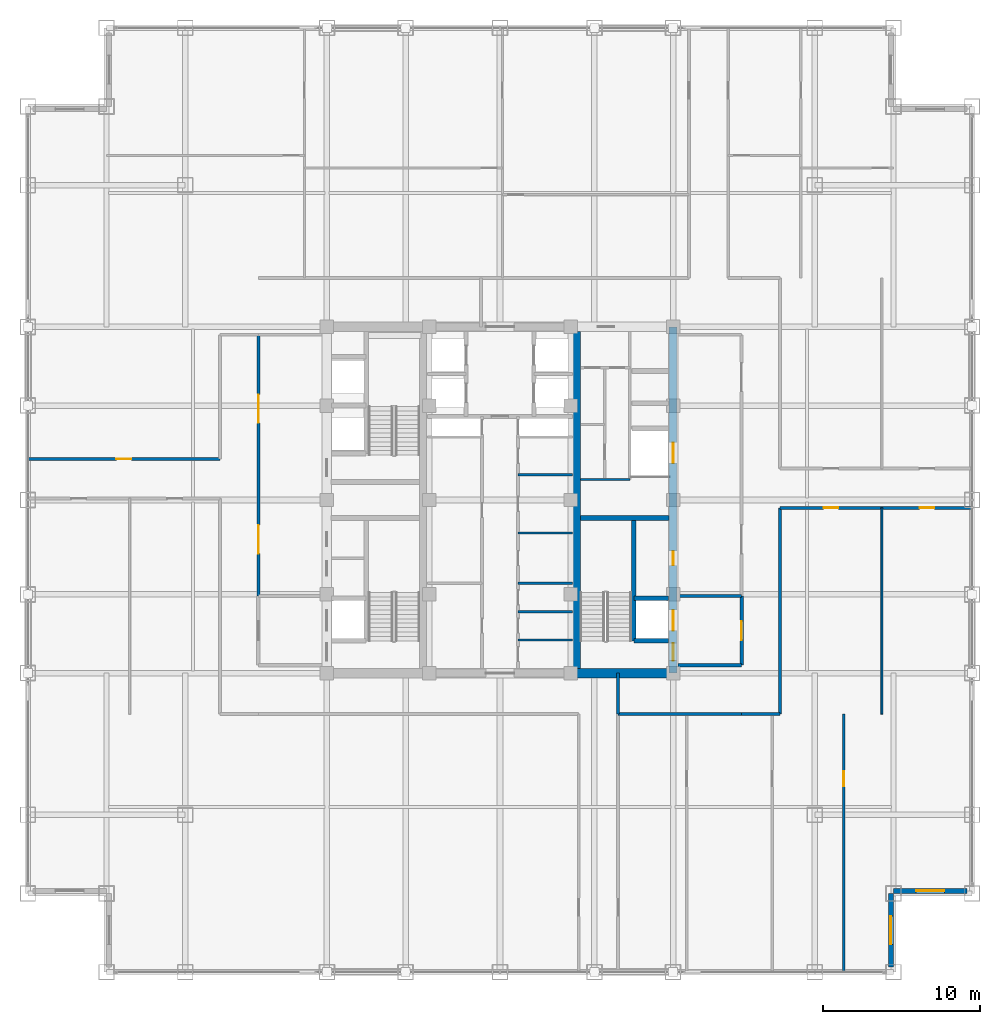
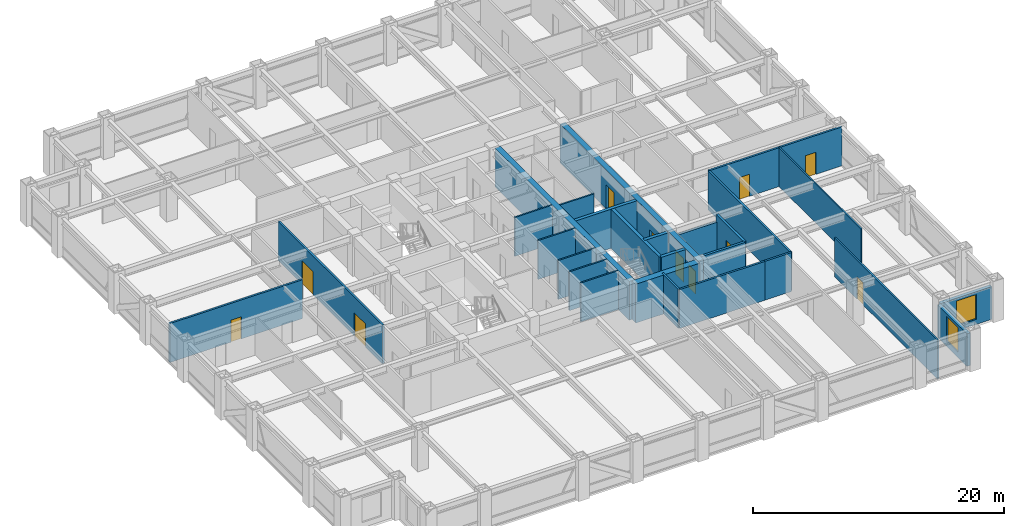
# One storey, part 21 of 25: 27 walls, 11 doors, 2 windows, 13 openings.
"""IFC4 building model written with IfcOpenShell, lengths in metres."""

import ifcopenshell
import ifcopenshell.guid

model = None  # the IFC model being written
_history = None  # IfcOwnerHistory: only IFC2X3 demands one
_inside = {}  # id of a spatial element -> (the spatial element, [elements in it])
_under = {}  # id of a project, library or spatial element -> (it, [spatial elements below it])
_declared = {}  # id of a project -> (the project, [libraries it declares])
_typed = {}  # id of a type object -> (the type object, [elements of that type])
_made_of = {}  # id of a material, layer set ... -> (it, [elements and type objects made of it])


def new_model(schema):
    """Start an empty IFC model of exactly this schema.

    Asked for "IFC4X3", IfcOpenShell would pick the latest addendum, in which some entities
    have other attributes; the version numbers below select the first issue.
    IFC2X3 requires an IfcOwnerHistory on every rooted entity: one is made here for all.
    """
    global model, _history
    if schema == "IFC4X3":
        model = ifcopenshell.file(schema_version=(4, 3, 0, 0))
    else:
        model = ifcopenshell.file(schema=schema)
    _inside.clear()
    _under.clear()
    _declared.clear()
    _typed.clear()
    _made_of.clear()
    _history = None
    if model.schema == "IFC2X3":
        org = make("IfcOrganization", Name="unknown")
        user = make(
            "IfcPersonAndOrganization",
            ThePerson=make("IfcPerson", FamilyName="unknown"),
            TheOrganization=org,
        )
        app = make(
            "IfcApplication",
            ApplicationDeveloper=org,
            Version="unknown",
            ApplicationFullName="unknown",
            ApplicationIdentifier="unknown",
        )
        _history = make(
            "IfcOwnerHistory",
            OwningUser=user,
            OwningApplication=app,
            ChangeAction="ADDED",
            CreationDate=0,
        )
    return model


def make(cls, **values):
    """One entity of the class cls with the attributes given. An attribute that is None is left unset."""
    return model.create_entity(
        cls, **{name: value for name, value in values.items() if value is not None}
    )


def rooted(cls, **values):
    """An entity with a GlobalId (a new one), such as an element, a storey or a relation."""
    return make(cls, GlobalId=ifcopenshell.guid.new(), OwnerHistory=_history, **values)


def si_unit(unit_type, name, prefix=None):
    """IfcSIUnit, for example si_unit("LENGTHUNIT", "METRE", prefix="MILLI")."""
    return make("IfcSIUnit", UnitType=unit_type, Prefix=prefix, Name=name)


def assignment(units):
    """IfcUnitAssignment: the units of a project."""
    return None if units is None else make("IfcUnitAssignment", Units=units)


def point(xyz):
    """IfcCartesianPoint."""
    return None if xyz is None else make("IfcCartesianPoint", Coordinates=xyz)


def direction(xyz):
    """IfcDirection."""
    return None if xyz is None else make("IfcDirection", DirectionRatios=xyz)


def frame(location, z_axis=None, x_axis=None):
    """IfcAxis2Placement3D, a coordinate frame: its origin and axes. An axis left out is left unset."""
    return make(
        "IfcAxis2Placement3D",
        Location=point(location),
        Axis=direction(z_axis),
        RefDirection=direction(x_axis),
    )


def frame_2d(location, x_axis=None):
    """IfcAxis2Placement2D, a coordinate frame in the plane: its origin and x axis."""
    return make(
        "IfcAxis2Placement2D", Location=point(location), RefDirection=direction(x_axis)
    )


def origin():
    """The frame at (0, 0, 0) with its axes left unset."""
    return frame((0.0, 0.0, 0.0))


def place(relative_to, where):
    """IfcLocalPlacement: puts the frame where relative to a parent placement (None: the world)."""
    return make(
        "IfcLocalPlacement", PlacementRelTo=relative_to, RelativePlacement=where
    )


def context(
    kind, dimensions, precision=None, world=None, true_north=None, identifier=None
):
    """IfcGeometricRepresentationContext, for example the 3D "Model" context."""
    return make(
        "IfcGeometricRepresentationContext",
        ContextIdentifier=identifier,
        ContextType=kind,
        CoordinateSpaceDimension=dimensions,
        Precision=precision,
        WorldCoordinateSystem=world,
        TrueNorth=true_north,
    )


def subcontext(parent, identifier, kind, view, scale=None):
    """IfcGeometricRepresentationSubContext, for example "Body" below "Model"."""
    return make(
        "IfcGeometricRepresentationSubContext",
        ContextIdentifier=identifier,
        ContextType=kind,
        ParentContext=parent,
        TargetScale=scale,
        TargetView=view,
    )


def project(units=None, contexts=None):
    """IfcProject with its units and contexts."""
    return rooted(
        "IfcProject",
        Name="project",
        RepresentationContexts=contexts,
        UnitsInContext=assignment(units),
    )


def spatial(cls, under=None, at=None, **own):
    """A site, building, storey or space (cls), placed at a placement, below another one or the project."""
    s = rooted(cls, ObjectPlacement=at, **own)
    if under is not None:
        _under.setdefault(under.id(), (under, []))[1].append(s)
    return s


def profile(cls, at=None, kind="AREA", **sizes):
    """A parametric profile (cls). Its sizes go by their IFC names, for example OverallWidth=200.0."""
    return make(cls, ProfileType=kind, Position=at, **sizes)


def rectangle(**sizes):
    """IfcRectangleProfileDef."""
    return profile("IfcRectangleProfileDef", **sizes)


def extrude(swept, where, along, depth):
    """IfcExtrudedAreaSolid: the profile swept, set in the frame where, extruded along a direction by depth."""
    return make(
        "IfcExtrudedAreaSolid",
        SweptArea=swept,
        Position=where,
        ExtrudedDirection=direction(along),
        Depth=depth,
    )


def shape(context_of_items, identifier, shape_type, items):
    """IfcShapeRepresentation: the items that make up one representation, for example the "Body"."""
    return make(
        "IfcShapeRepresentation",
        ContextOfItems=context_of_items,
        RepresentationIdentifier=identifier,
        RepresentationType=shape_type,
        Items=items,
    )


def source(mapping_origin, context_of_items, identifier, shape_type, items):
    """IfcRepresentationMap: a shape defined once, which mapped items show again and again."""
    return make(
        "IfcRepresentationMap",
        MappingOrigin=mapping_origin,
        MappedRepresentation=shape(context_of_items, identifier, shape_type, items),
    )


def transform(
    local_origin,
    x_axis=None,
    y_axis=None,
    z_axis=None,
    scale=None,
    scale2=None,
    scale3=None,
    uniform=True,
):
    """IfcCartesianTransformationOperator3D, or its non-uniform kind. x_axis, y_axis, z_axis: its Axis1, 2, 3."""
    if uniform:
        return make(
            "IfcCartesianTransformationOperator3D",
            Axis1=direction(x_axis),
            Axis2=direction(y_axis),
            LocalOrigin=point(local_origin),
            Scale=scale,
            Axis3=direction(z_axis),
        )
    return make(
        "IfcCartesianTransformationOperator3DnonUniform",
        Axis1=direction(x_axis),
        Axis2=direction(y_axis),
        LocalOrigin=point(local_origin),
        Scale=scale,
        Axis3=direction(z_axis),
        Scale2=scale2,
        Scale3=scale3,
    )


def mapped(mapping_source, mapping_target):
    """IfcMappedItem: shows the shape of a source again, moved by a transform."""
    return make(
        "IfcMappedItem", MappingSource=mapping_source, MappingTarget=mapping_target
    )


def material(Name=None, Category=None):
    """IfcMaterial."""
    return make("IfcMaterial", Name=Name, Category=Category)


def layer(
    of_material, thickness, ventilated=None, Name=None, Category=None, Priority=None
):
    """IfcMaterialLayer: one layer of a wall or slab, of a material (None: an air gap)."""
    return make(
        "IfcMaterialLayer",
        Material=of_material,
        LayerThickness=thickness,
        IsVentilated=ventilated,
        Name=Name,
        Category=Category,
        Priority=Priority,
    )


def layer_set(layers, Name=None):
    """IfcMaterialLayerSet."""
    return make("IfcMaterialLayerSet", MaterialLayers=layers, LayerSetName=Name)


def made_of(thing, what):
    """Note that an element or type object is made of a material, layer set ...; save() writes the relation."""
    if what is not None:
        _made_of.setdefault(what.id(), (what, []))[1].append(thing)
    return thing


def type_object(cls, material=None, **own):
    """A type object (cls), such as IfcWallType, which elements share."""
    return made_of(rooted(cls, **own), material)


def element(
    cls,
    number,
    at=None,
    inside=None,
    cuts=None,
    type_object=None,
    material=None,
    context=None,
    identifier="Body",
    shape_type=None,
    held_by="IfcProductDefinitionShape",
    body=None,
    shapes=None,
    **own,
):
    """One element of the class cls, such as IfcWall. Its Tag is "e" and its number.

    at: its placement. inside: the storey or other place that contains it. cuts: it is an
    opening in that element (IfcRelVoidsElement). A single representation is given by context,
    identifier, shape_type and body (its items); several are given by shapes. held_by: the class
    of the entity that holds the representations. save() writes the other relations.
    """
    e = rooted(cls, Tag="e%d" % number, ObjectPlacement=at, **own)
    if body is not None:
        shapes = [shape(context, identifier, shape_type, body)]
    if shapes is not None:
        e.Representation = make(held_by, Representations=shapes)
    if inside is not None:
        _inside.setdefault(inside.id(), (inside, []))[1].append(e)
    if cuts is not None:
        rooted(
            "IfcRelVoidsElement", RelatingBuildingElement=cuts, RelatedOpeningElement=e
        )
    if type_object is not None:
        _typed.setdefault(type_object.id(), (type_object, []))[1].append(e)
    return made_of(e, material)


def fill(opening, filler):
    """IfcRelFillsElement: the door or window that sits in an opening."""
    return rooted(
        "IfcRelFillsElement",
        RelatingOpeningElement=opening,
        RelatedBuildingElement=filler,
    )


def aggregate(whole, parts):
    """IfcRelAggregates: a whole, such as a stair, and the parts it consists of."""
    return rooted("IfcRelAggregates", RelatingObject=whole, RelatedObjects=parts)


def save(model, path):
    """Write the relations noted so far, then the file.

    IfcRelAggregates (storeys below a building ...), IfcRelContainedInSpatialStructure (elements
    in a storey), IfcRelDefinesByType, IfcRelAssociatesMaterial and IfcRelDeclares: one each for
    every whole, place, type object, material and project.
    """
    for whole, parts in _under.values():
        aggregate(whole, parts)
    for where, things in _inside.values():
        rooted(
            "IfcRelContainedInSpatialStructure",
            RelatedElements=things,
            RelatingStructure=where,
        )
    for kind, things in _typed.values():
        rooted("IfcRelDefinesByType", RelatedObjects=things, RelatingType=kind)
    for what, things in _made_of.values():
        rooted("IfcRelAssociatesMaterial", RelatedObjects=things, RelatingMaterial=what)
    for by, libraries in _declared.values():
        rooted("IfcRelDeclares", RelatingContext=by, RelatedDefinitions=libraries)
    model.write(path)


model = new_model("IFC4")

# Units and contexts
model_context = context("Model", 3, precision=1e-05, world=origin(), true_north=direction((0.0, 1.0)))
body_context = subcontext(model_context, "Body", "Model", "MODEL_VIEW")
ifc_project = project(units=[si_unit("LENGTHUNIT", "METRE"), si_unit("AREAUNIT", "SQUARE_METRE"), si_unit("VOLUMEUNIT", "CUBIC_METRE"), si_unit("PLANEANGLEUNIT", "RADIAN"), si_unit("MASSUNIT", "GRAM", prefix="KILO")], contexts=[model_context])

# Site, building, storey
site_placement = place(None, origin())
site = spatial("IfcSite", under=ifc_project, at=site_placement, CompositionType="ELEMENT")
building_placement = place(site_placement, origin())
building = spatial("IfcBuilding", under=site, at=building_placement, Name="Khorayat Bourse Tower", CompositionType="ELEMENT")
storey_placement = place(building_placement, frame((0.0, 0.0, 223.10009765625)))
storey = spatial("IfcBuildingStorey", under=building, at=storey_placement, Name="L52", CompositionType="ELEMENT", Elevation=223.10009765625)

# Wall
ifc_material_1 = material(Name="Concrete C52/65", Category="concrete")
ifc_layer_1 = layer(ifc_material_1, 0.5)
ifc_layer_set_1 = layer_set([ifc_layer_1], Name="Concrete C52/65")
wall_type_1 = type_object("IfcWallType", Name="WAL-CORE-500", PredefinedType="SHEAR", material=ifc_layer_set_1)
shared_shape_1 = source(origin(), body_context, "Body", "SweptSolid", [
    extrude(rectangle(XDim=21.39990234375, YDim=0.5, at=frame_2d((10.699951171875, 0.0))), origin(), (0.0, 0.0, 1.0), 3.77978515625),
])
wall_1_placement = place(storey_placement, frame((4.85009765625, -10.699951171875, 0.0), z_axis=(0.0, 0.0, 1.0), x_axis=(0.0, 1.0, 0.0)))
element("IfcWall", 1, at=wall_1_placement, inside=storey, type_object=wall_type_1, Name="L52 Core Shear Wall PIER-E", PredefinedType="SHEAR", context=body_context, shape_type="MappedRepresentation", body=[
    mapped(shared_shape_1, transform((0.0, 0.0, 0.0), scale=1.0)),
])

# Wall, openings, doors
shared_shape_2 = source(origin(), body_context, "Body", "SweptSolid", [
    extrude(rectangle(XDim=22.0, YDim=0.5, at=frame_2d((11.0, 0.0))), origin(), (0.0, 0.0, 1.0), 3.77978515625),
])
wall_2_placement = place(storey_placement, frame((11.0, -11.0, 0.0), z_axis=(0.0, 0.0, 1.0), x_axis=(0.0, 1.0, 0.0)))
wall_2 = element("IfcWall", 2, at=wall_2_placement, inside=storey, type_object=wall_type_1, Name="L52 Core Shear Wall CORE-E", PredefinedType="SHEAR", context=body_context, shape_type="MappedRepresentation", body=[
    mapped(shared_shape_2, transform((0.0, 0.0, 0.0), scale=1.0)),
])
shared_shape_3 = source(origin(), body_context, "Body", "SweptSolid", [
    extrude(rectangle(XDim=1.10009765625, YDim=2.199951171875, at=frame_2d((0.550048828125, 1.10009765625))), frame((0.0, 0.260009765625, 0.0), z_axis=(0.0, -1.0, 0.0), x_axis=(1.0, 0.0, 0.0)), (0.0, 0.0, 1.0), 0.52001953125),
])
opening_1_placement = place(wall_2_placement, frame((0.800048828125, 0.0, 0.0)))
opening_1 = element("IfcOpeningElement", 3, at=opening_1_placement, cuts=wall_2, Name="Opening DI-01", PredefinedType="OPENING", context=body_context, shape_type="MappedRepresentation", body=[
    mapped(shared_shape_3, transform((0.0, 0.0, 0.0), scale=1.0)),
])
shared_shape_4 = source(origin(), body_context, "Body", "SweptSolid", [
    extrude(rectangle(XDim=0.89990234375, YDim=2.14990234375, at=frame_2d((0.449951171875, 1.074951171875))), frame((0.0, 0.260009765625, 0.0), z_axis=(0.0, -1.0, 0.0), x_axis=(1.0, 0.0, 0.0)), (0.0, 0.0, 1.0), 0.52001953125),
])
opening_2_placement = place(wall_2_placement, frame((6.85009765625, 0.0, 0.0)))
opening_2 = element("IfcOpeningElement", 4, at=opening_2_placement, cuts=wall_2, Name="Opening DI-06", PredefinedType="OPENING", context=body_context, shape_type="MappedRepresentation", body=[
    mapped(shared_shape_4, transform((0.0, 0.0, 0.0), scale=1.0)),
])
shared_shape_5 = source(origin(), body_context, "Body", "SweptSolid", [
    extrude(rectangle(XDim=1.300048828125, YDim=2.300048828125, at=frame_2d((0.64990234375, 1.14990234375))), frame((0.0, 0.260009765625, 0.0), z_axis=(0.0, -1.0, 0.0), x_axis=(1.0, 0.0, 0.0)), (0.0, 0.0, 1.0), 0.52001953125),
])
opening_3_placement = place(wall_2_placement, frame((2.699951171875, 0.0, 0.0)))
opening_3 = element("IfcOpeningElement", 5, at=opening_3_placement, cuts=wall_2, Name="Opening LD-02", PredefinedType="OPENING", context=body_context, shape_type="MappedRepresentation", body=[
    mapped(shared_shape_5, transform((0.0, 0.0, 0.0), scale=1.0)),
])
opening_4_placement = place(wall_2_placement, frame((13.35009765625, 0.0, 0.0)))
opening_4 = element("IfcOpeningElement", 6, at=opening_4_placement, cuts=wall_2, Name="Opening LD-02", PredefinedType="OPENING", context=body_context, shape_type="MappedRepresentation", body=[
    mapped(shared_shape_5, transform((0.0, 0.0, 0.0), scale=1.0)),
])
ifc_material_2 = material(Name="Fire-rated steel acoustic leaf", Category="steel")
door_type_1 = type_object("IfcDoorType", Name="DR-INT-STAIR-1100", OperationType="NOTDEFINED", PredefinedType="DOOR", material=ifc_material_2)
shared_shape_6 = source(origin(), body_context, "Body", "SweptSolid", [
    extrude(rectangle(XDim=1.10009765625, YDim=2.199951171875, at=frame_2d((0.550048828125, 1.10009765625))), frame((0.0, 0.02490234375, 0.0), z_axis=(0.0, -1.0, 0.0), x_axis=(1.0, 0.0, 0.0)), (0.0, 0.0, 1.0), 0.050048828125),
])
door_1_placement = place(opening_1_placement, origin())
door_1 = element("IfcDoor", 7, at=door_1_placement, inside=storey, type_object=door_type_1, Name="L52 Exit Stair 3 Door", OperationType="SINGLE_SWING_LEFT", OverallHeight=2.199951171875, OverallWidth=1.10009765625, PredefinedType="DOOR", context=body_context, shape_type="MappedRepresentation", body=[
    mapped(shared_shape_6, transform((0.0, 0.0, 0.0), scale=1.0)),
])
fill(opening_1, door_1)
ifc_material_3 = material(Name="Moisture-resistant laminate washroom door")
door_type_2 = type_object("IfcDoorType", Name="DR-INT-WC-900", OperationType="NOTDEFINED", PredefinedType="DOOR", material=ifc_material_3)
shared_shape_7 = source(origin(), body_context, "Body", "SweptSolid", [
    extrude(rectangle(XDim=0.89990234375, YDim=2.14990234375, at=frame_2d((0.449951171875, 1.074951171875))), frame((0.0, 0.02490234375, 0.0), z_axis=(0.0, -1.0, 0.0), x_axis=(1.0, 0.0, 0.0)), (0.0, 0.0, 1.0), 0.050048828125),
])
door_2_placement = place(opening_2_placement, origin())
door_2 = element("IfcDoor", 8, at=door_2_placement, inside=storey, type_object=door_type_2, Name="L52 Telecom Server Plant Room Door", OperationType="SINGLE_SWING_LEFT", OverallHeight=2.14990234375, OverallWidth=0.89990234375, PredefinedType="DOOR", context=body_context, shape_type="MappedRepresentation", body=[
    mapped(shared_shape_7, transform((0.0, 0.0, 0.0), scale=1.0)),
])
fill(opening_2, door_2)
ifc_material_4 = material(Name="Fire-rated stainless-steel sliding landing door", Category="steel")
door_type_3 = type_object("IfcDoorType", Name="DR-LIFT-FF-1300", OperationType="NOTDEFINED", PredefinedType="DOOR", material=ifc_material_4)
shared_shape_8 = source(origin(), body_context, "Body", "SweptSolid", [
    extrude(rectangle(XDim=1.300048828125, YDim=2.300048828125, at=frame_2d((0.64990234375, 1.14990234375))), frame((0.0, 0.02490234375, 0.0), z_axis=(0.0, -1.0, 0.0), x_axis=(1.0, 0.0, 0.0)), (0.0, 0.0, 1.0), 0.050048828125),
])
door_3_placement = place(opening_3_placement, origin())
door_3 = element("IfcDoor", 9, at=door_3_placement, inside=storey, type_object=door_type_3, Name="L52 Lift FFL-02 Sliding Landing Door", OperationType="SLIDING_TO_LEFT", OverallHeight=2.300048828125, OverallWidth=1.300048828125, PredefinedType="DOOR", context=body_context, shape_type="MappedRepresentation", body=[
    mapped(shared_shape_8, transform((0.0, 0.0, 0.0), scale=1.0)),
])
fill(opening_3, door_3)
door_4_placement = place(opening_4_placement, origin())
door_4 = element("IfcDoor", 10, at=door_4_placement, inside=storey, type_object=door_type_3, Name="L52 Lift SVL-01 Sliding Landing Door", OperationType="SLIDING_TO_LEFT", OverallHeight=2.300048828125, OverallWidth=1.300048828125, PredefinedType="DOOR", context=body_context, shape_type="MappedRepresentation", body=[
    mapped(shared_shape_8, transform((0.0, 0.0, 0.0), scale=1.0)),
])
fill(opening_4, door_4)

# Walls
ifc_material_5 = material(Name="Concrete C60/75", Category="concrete")
ifc_layer_2 = layer(ifc_material_5, 0.60009765625)
ifc_layer_set_2 = layer_set([ifc_layer_2], Name="Concrete C60/75")
wall_type_2 = type_object("IfcWallType", Name="WAL-CORE-600", PredefinedType="SHEAR", material=ifc_layer_set_2)
shared_shape_9 = source(origin(), body_context, "Body", "SweptSolid", [
    extrude(rectangle(XDim=5.89990234375, YDim=0.60009765625, at=frame_2d((2.949951171875, 0.0))), origin(), (0.0, 0.0, 1.0), 3.77978515625),
])
wall_3_placement = place(storey_placement, frame((4.85009765625, -11.0, 0.0), z_axis=(0.0, 0.0, 1.0), x_axis=(1.0, 0.0, 0.0)))
element("IfcWall", 11, at=wall_3_placement, inside=storey, type_object=wall_type_2, Name="L52 Core Shear Wall PIER-ES", PredefinedType="SHEAR", context=body_context, shape_type="MappedRepresentation", body=[
    mapped(shared_shape_9, transform((0.0, 0.0, 0.0), scale=1.0)),
])
ifc_material_6 = material(Name="Concrete C50/60", Category="concrete")
ifc_layer_3 = layer(ifc_material_6, 0.300048828125)
ifc_layer_set_3 = layer_set([ifc_layer_3], Name="Concrete C50/60")
wall_type_3 = type_object("IfcWallType", Name="WAL-SHAFT-300", PredefinedType="SHEAR", material=ifc_layer_set_3)
shared_shape_10 = source(origin(), body_context, "Body", "SweptSolid", [
    extrude(rectangle(XDim=5.64990234375, YDim=0.300048828125, at=frame_2d((2.824951171875, 0.0))), origin(), (0.0, 0.0, 1.0), 3.77978515625),
])
wall_4_placement = place(storey_placement, frame((5.10009765625, -1.14990234375, 0.0), z_axis=(0.0, 0.0, 1.0), x_axis=(1.0, 0.0, 0.0)))
element("IfcWall", 12, at=wall_4_placement, inside=storey, type_object=wall_type_3, Name="L52 Core Shear Wall ST3-DIV", PredefinedType="SHEAR", context=body_context, shape_type="MappedRepresentation", body=[
    mapped(shared_shape_10, transform((0.0, 0.0, 0.0), scale=1.0)),
])

# Wall, opening, window
ifc_material_7 = material(Name="Precast concrete C45/55", Category="concrete")
ifc_layer_4 = layer(ifc_material_7, 0.320068359375)
ifc_layer_set_4 = layer_set([ifc_layer_4], Name="Precast concrete C45/55")
wall_type_4 = type_object("IfcWallType", Name="WAL-EXT-STONE-320", PredefinedType="STANDARD", material=ifc_layer_set_4)
shared_shape_11 = source(origin(), body_context, "Body", "SweptSolid", [
    extrude(rectangle(XDim=4.679931640625, YDim=0.320068359375, at=frame_2d((2.33984375, 0.0))), origin(), (0.0, 0.0, 1.0), 3.163818359375),
])
wall_5_placement = place(storey_placement, frame((24.840087890625, -29.679931640625, 0.0), z_axis=(0.0, 0.0, 1.0), x_axis=(0.0, 1.0, 0.0)))
wall_5 = element("IfcWall", 13, at=wall_5_placement, inside=storey, type_object=wall_type_4, Name="L52 Re-Entrant Notch Limestone Wall SE-V", PredefinedType="STANDARD", context=body_context, shape_type="MappedRepresentation", body=[
    mapped(shared_shape_11, transform((0.0, 0.0, 0.0), scale=1.0)),
])
shared_shape_12 = source(origin(), body_context, "Body", "SweptSolid", [
    extrude(rectangle(XDim=1.800048828125, YDim=2.39990234375, at=frame_2d((0.89990234375, 1.199951171875))), frame((0.0, 0.169921875, 0.0), z_axis=(0.0, -1.0, 0.0), x_axis=(1.0, 0.0, 0.0)), (0.0, 0.0, 1.0), 0.340087890625),
])
opening_5_placement = place(wall_5_placement, frame((1.43994140625, 0.0, 0.5)))
opening_5 = element("IfcOpeningElement", 14, at=opening_5_placement, cuts=wall_5, Name="Opening WN-04", PredefinedType="OPENING", context=body_context, shape_type="MappedRepresentation", body=[
    mapped(shared_shape_12, transform((0.0, 0.0, 0.0), scale=1.0)),
])
ifc_material_8 = material(Name="Low-E acoustic laminated double glazing", Category="glass")
window_type = type_object("IfcWindowType", Name="WIN-NOTCH-1800x2400", PartitioningType="SINGLE_PANEL", PredefinedType="WINDOW", material=ifc_material_8)
shared_shape_13 = source(origin(), body_context, "Body", "SweptSolid", [
    extrude(rectangle(XDim=1.800048828125, YDim=2.39990234375, at=frame_2d((0.89990234375, 1.199951171875))), frame((0.0, 0.030029296875, 0.0), z_axis=(0.0, -1.0, 0.0), x_axis=(1.0, 0.0, 0.0)), (0.0, 0.0, 1.0), 0.06005859375),
])
window_1_placement = place(opening_5_placement, origin())
window_1 = element("IfcWindow", 15, at=window_1_placement, inside=storey, type_object=window_type, Name="L52 Facade Window 1", OverallHeight=2.39990234375, OverallWidth=1.800048828125, PartitioningType="SINGLE_PANEL", PredefinedType="WINDOW", context=body_context, shape_type="MappedRepresentation", body=[
    mapped(shared_shape_13, transform((0.0, 0.0, 0.0), scale=1.0)),
])
fill(opening_5, window_1)

wall_6_placement = place(storey_placement, frame((25.0, -24.840087890625, 0.0), z_axis=(0.0, 0.0, 1.0), x_axis=(1.0, 0.0, 0.0)))
wall_6 = element("IfcWall", 16, at=wall_6_placement, inside=storey, type_object=wall_type_4, Name="L52 Re-Entrant Notch Limestone Wall SE-H", PredefinedType="STANDARD", context=body_context, shape_type="MappedRepresentation", body=[
    mapped(shared_shape_11, transform((0.0, 0.0, 0.0), scale=1.0)),
])
opening_6_placement = place(wall_6_placement, frame((1.43994140625, 0.0, 0.5)))
opening_6 = element("IfcOpeningElement", 17, at=opening_6_placement, cuts=wall_6, Name="Opening WN-04", PredefinedType="OPENING", context=body_context, shape_type="MappedRepresentation", body=[
    mapped(shared_shape_12, transform((0.0, 0.0, 0.0), scale=1.0)),
])
window_2_placement = place(opening_6_placement, origin())
window_2 = element("IfcWindow", 18, at=window_2_placement, inside=storey, type_object=window_type, Name="L52 Facade Window 1", OverallHeight=2.39990234375, OverallWidth=1.800048828125, PartitioningType="SINGLE_PANEL", PredefinedType="WINDOW", context=body_context, shape_type="MappedRepresentation", body=[
    mapped(shared_shape_13, transform((0.0, 0.0, 0.0), scale=1.0)),
])
fill(opening_6, window_2)

# Walls
ifc_material_9 = material(Name="Aerated concrete blockwork", Category="masonry")
ifc_layer_5 = layer(ifc_material_9, 0.219970703125)
ifc_layer_set_5 = layer_set([ifc_layer_5], Name="Aerated concrete blockwork")
wall_type_5 = type_object("IfcWallType", Name="WAL-PART-FF-220", PredefinedType="PARTITIONING", material=ifc_layer_set_5)
shared_shape_14 = source(origin(), body_context, "Body", "SweptSolid", [
    extrude(rectangle(XDim=4.050048828125, YDim=0.219970703125, at=frame_2d((2.02490234375, 0.0))), origin(), (0.0, 0.0, 1.0), 3.0849609375),
])
wall_7_placement = place(storey_placement, frame((11.300048828125, -6.10009765625, 0.0), z_axis=(0.0, 0.0, 1.0), x_axis=(1.0, 0.0, 0.0)))
element("IfcWall", 19, at=wall_7_placement, inside=storey, type_object=wall_type_5, Name="L52 Partition WAL-L52-FFLE-N", PredefinedType="PARTITIONING", context=body_context, shape_type="MappedRepresentation", body=[
    mapped(shared_shape_14, transform((0.0, 0.0, 0.0), scale=1.0)),
])
shared_shape_15 = source(origin(), body_context, "Body", "SweptSolid", [
    extrude(rectangle(XDim=7.800048828125, YDim=0.300048828125, at=frame_2d((3.89990234375, 0.0))), origin(), (0.0, 0.0, 1.0), 3.77978515625),
])
wall_8_placement = place(storey_placement, frame((8.5, -8.949951171875, 0.0), z_axis=(0.0, 0.0, 1.0), x_axis=(0.0, 1.0, 0.0)))
element("IfcWall", 20, at=wall_8_placement, inside=storey, type_object=wall_type_3, Name="L52 Partition WAL-L52-EPIER-SP", PredefinedType="SHEAR", context=body_context, shape_type="MappedRepresentation", body=[
    mapped(shared_shape_15, transform((0.0, 0.0, 0.0), scale=1.0)),
])
shared_shape_16 = source(origin(), body_context, "Body", "SweptSolid", [
    extrude(rectangle(XDim=2.199951171875, YDim=0.300048828125, at=frame_2d((1.10009765625, 0.0))), origin(), (0.0, 0.0, 1.0), 3.77978515625),
])
for number, where, z_axis, x_axis, name in (
    (21, (8.5, -8.949951171875, 0.0), (0.0, 0.0, 1.0), (1.0, 0.0, 0.0), "L52 Partition WAL-L52-EPIER-FF2S"),
    (22, (8.5, -6.25, 0.0), (0.0, 0.0, 1.0), (1.0, 0.0, 0.0), "L52 Partition WAL-L52-EPIER-FF2N"),
):
    element("IfcWall", number, at=place(storey_placement, frame(where, z_axis=z_axis, x_axis=x_axis)), inside=storey, type_object=wall_type_3, Name=name, PredefinedType="SHEAR", context=body_context, shape_type="MappedRepresentation", body=[
        mapped(shared_shape_16, transform((0.0, 0.0, 0.0), scale=1.0)),
    ])
ifc_material_10 = material(Name="Moisture-resistant masonry partition", Category="masonry")
ifc_layer_6 = layer(ifc_material_10, 0.139892578125)
ifc_layer_set_6 = layer_set([ifc_layer_6], Name="Moisture-resistant masonry partition")
wall_type_6 = type_object("IfcWallType", Name="WAL-PART-WET-140", PredefinedType="PARTITIONING", material=ifc_layer_set_6)
shared_shape_17 = source(origin(), body_context, "Body", "SweptSolid", [
    extrude(rectangle(XDim=3.14990234375, YDim=0.139892578125, at=frame_2d((1.574951171875, 0.0))), origin(), (0.0, 0.0, 1.0), 3.77978515625),
])
wall_9_placement = place(storey_placement, frame((5.10009765625, 1.300048828125, 0.0), z_axis=(0.0, 0.0, 1.0), x_axis=(1.0, 0.0, 0.0)))
element("IfcWall", 23, at=wall_9_placement, inside=storey, type_object=wall_type_6, Name="L52 Partition WAL-L52-ECORE-S", PredefinedType="PARTITIONING", context=body_context, shape_type="MappedRepresentation", body=[
    mapped(shared_shape_17, transform((0.0, 0.0, 0.0), scale=1.0)),
])
shared_shape_18 = source(origin(), body_context, "Body", "SweptSolid", [
    extrude(rectangle(XDim=4.050048828125, YDim=0.219970703125, at=frame_2d((2.02490234375, 0.0))), origin(), (0.0, 0.0, 1.0), 3.77978515625),
])
wall_10_placement = place(storey_placement, frame((11.300048828125, -10.5, 0.0), z_axis=(0.0, 0.0, 1.0), x_axis=(1.0, 0.0, 0.0)))
element("IfcWall", 24, at=wall_10_placement, inside=storey, type_object=wall_type_5, Name="L52 Partition WAL-L52-FFLE-S", PredefinedType="PARTITIONING", context=body_context, shape_type="MappedRepresentation", body=[
    mapped(shared_shape_18, transform((0.0, 0.0, 0.0), scale=1.0)),
])

# Wall, opening, door
shared_shape_19 = source(origin(), body_context, "Body", "SweptSolid", [
    extrude(rectangle(XDim=4.39990234375, YDim=0.219970703125, at=frame_2d((2.199951171875, 0.0))), origin(), (0.0, 0.0, 1.0), 3.77978515625),
])
wall_11_placement = place(storey_placement, frame((15.35009765625, -10.5, 0.0), z_axis=(0.0, 0.0, 1.0), x_axis=(0.0, 1.0, 0.0)))
wall_11 = element("IfcWall", 25, at=wall_11_placement, inside=storey, type_object=wall_type_5, Name="L52 Partition WAL-L52-FFLE-E", PredefinedType="PARTITIONING", context=body_context, shape_type="MappedRepresentation", body=[
    mapped(shared_shape_19, transform((0.0, 0.0, 0.0), scale=1.0)),
])
shared_shape_20 = source(origin(), body_context, "Body", "SweptSolid", [
    extrude(rectangle(XDim=1.199951171875, YDim=2.199951171875, at=frame_2d((0.60009765625, 1.10009765625))), frame((0.0, 0.119873046875, 0.0), z_axis=(0.0, -1.0, 0.0), x_axis=(1.0, 0.0, 0.0)), (0.0, 0.0, 1.0), 0.239990234375),
])
opening_7_placement = place(wall_11_placement, frame((1.60009765625, 0.0, 0.0)))
opening_7 = element("IfcOpeningElement", 26, at=opening_7_placement, cuts=wall_11, Name="Opening DI-02", PredefinedType="OPENING", context=body_context, shape_type="MappedRepresentation", body=[
    mapped(shared_shape_20, transform((0.0, 0.0, 0.0), scale=1.0)),
])
ifc_material_11 = material(Name="Fire-rated steel double-seal leaf", Category="steel")
door_type_4 = type_object("IfcDoorType", Name="DR-INT-FFLOBBY-1200", OperationType="NOTDEFINED", PredefinedType="DOOR", material=ifc_material_11)
shared_shape_21 = source(origin(), body_context, "Body", "SweptSolid", [
    extrude(rectangle(XDim=1.199951171875, YDim=2.199951171875, at=frame_2d((0.60009765625, 1.10009765625))), frame((0.0, 0.02490234375, 0.0), z_axis=(0.0, -1.0, 0.0), x_axis=(1.0, 0.0, 0.0)), (0.0, 0.0, 1.0), 0.050048828125),
])
door_5_placement = place(opening_7_placement, origin())
door_5 = element("IfcDoor", 27, at=door_5_placement, inside=storey, type_object=door_type_4, Name="L52 East Firefighting Lobby Door", OperationType="SINGLE_SWING_RIGHT", OverallHeight=2.199951171875, OverallWidth=1.199951171875, PredefinedType="DOOR", context=body_context, shape_type="MappedRepresentation", body=[
    mapped(shared_shape_21, transform((0.0, 0.0, 0.0), scale=1.0)),
])
fill(opening_7, door_5)

# Wall, openings, doors
ifc_material_12 = material(Name="Gypsum plasterboard acoustic stud wall")
ifc_layer_7 = layer(ifc_material_12, 0.179931640625)
ifc_layer_set_7 = layer_set([ifc_layer_7], Name="Gypsum plasterboard acoustic stud wall")
wall_type_7 = type_object("IfcWallType", Name="WAL-PART-CORR-180", PredefinedType="PARTITIONING", material=ifc_layer_set_7)
shared_shape_22 = source(origin(), body_context, "Body", "SweptSolid", [
    extrude(rectangle(XDim=16.60009765625, YDim=0.179931640625, at=frame_2d((8.300048828125, 0.0))), origin(), (0.0, 0.0, 1.0), 3.77978515625),
])
wall_12_placement = place(storey_placement, frame((-15.35009765625, -6.10009765625, 0.0), z_axis=(0.0, 0.0, 1.0), x_axis=(0.0, 1.0, 0.0)))
wall_12 = element("IfcWall", 28, at=wall_12_placement, inside=storey, type_object=wall_type_7, Name="L52 Partition WAL-L52-WLOB-W", PredefinedType="PARTITIONING", context=body_context, shape_type="MappedRepresentation", body=[
    mapped(shared_shape_22, transform((0.0, 0.0, 0.0), scale=1.0)),
])
shared_shape_23 = source(origin(), body_context, "Body", "SweptSolid", [
    extrude(rectangle(XDim=1.800048828125, YDim=2.25, at=frame_2d((0.89990234375, 1.125))), frame((0.0, 0.099853515625, 0.0), z_axis=(0.0, -1.0, 0.0), x_axis=(1.0, 0.0, 0.0)), (0.0, 0.0, 1.0), 0.199951171875),
])
opening_8_placement = place(wall_12_placement, frame((2.699951171875, 0.0, 0.0)))
opening_8 = element("IfcOpeningElement", 29, at=opening_8_placement, cuts=wall_12, Name="Opening DI-03", PredefinedType="OPENING", context=body_context, shape_type="MappedRepresentation", body=[
    mapped(shared_shape_23, transform((0.0, 0.0, 0.0), scale=1.0)),
])
opening_9_placement = place(wall_12_placement, frame((11.0, 0.0, 0.0)))
opening_9 = element("IfcOpeningElement", 30, at=opening_9_placement, cuts=wall_12, Name="Opening DI-03", PredefinedType="OPENING", context=body_context, shape_type="MappedRepresentation", body=[
    mapped(shared_shape_23, transform((0.0, 0.0, 0.0), scale=1.0)),
])
ifc_material_13 = material(Name="Fire-rated hardwood vision-panel double leaf", Category="wood")
door_type_5 = type_object("IfcDoorType", Name="DR-INT-CORR-1800", OperationType="NOTDEFINED", PredefinedType="DOOR", material=ifc_material_13)
shared_shape_24 = source(origin(), body_context, "Body", "SweptSolid", [
    extrude(rectangle(XDim=1.800048828125, YDim=2.25, at=frame_2d((0.89990234375, 1.125))), frame((0.0, 0.02490234375, 0.0), z_axis=(0.0, -1.0, 0.0), x_axis=(1.0, 0.0, 0.0)), (0.0, 0.0, 1.0), 0.050048828125),
])
door_6_placement = place(opening_8_placement, origin())
door_6 = element("IfcDoor", 31, at=door_6_placement, inside=storey, type_object=door_type_5, Name="L52 West Core Lobby South Door", OperationType="SINGLE_SWING_LEFT", OverallHeight=2.25, OverallWidth=1.800048828125, PredefinedType="DOOR", context=body_context, shape_type="MappedRepresentation", body=[
    mapped(shared_shape_24, transform((0.0, 0.0, 0.0), scale=1.0)),
])
fill(opening_8, door_6)
door_7_placement = place(opening_9_placement, origin())
door_7 = element("IfcDoor", 32, at=door_7_placement, inside=storey, type_object=door_type_5, Name="L52 West Core Lobby North Door", OperationType="SINGLE_SWING_RIGHT", OverallHeight=2.25, OverallWidth=1.800048828125, PredefinedType="DOOR", context=body_context, shape_type="MappedRepresentation", body=[
    mapped(shared_shape_24, transform((0.0, 0.0, 0.0), scale=1.0)),
])
fill(opening_9, door_7)

# Walls
ifc_material_14 = material(Name="Gypsum plasterboard twin-frame partition")
ifc_layer_8 = layer(ifc_material_14, 0.14990234375)
ifc_layer_set_8 = layer_set([ifc_layer_8], Name="Gypsum plasterboard twin-frame partition")
wall_type_8 = type_object("IfcWallType", Name="WAL-PART-SUITE-150", PredefinedType="PARTITIONING", material=ifc_layer_set_8)
shared_shape_25 = source(origin(), body_context, "Body", "SweptSolid", [
    extrude(rectangle(XDim=3.4501953125, YDim=0.14990234375, at=frame_2d((1.72509765625, 0.0))), origin(), (0.0, 0.0, 1.0), 3.77978515625),
])
wall_13_placement = place(storey_placement, frame((1.14990234375, -5.300048828125, 0.0), z_axis=(0.0, 0.0, 1.0), x_axis=(1.0, 0.0, 0.0)))
element("IfcWall", 33, at=wall_13_placement, inside=storey, type_object=wall_type_8, Name="L52 Partition WAL-L52-FB1-NE", PredefinedType="PARTITIONING", context=body_context, shape_type="MappedRepresentation", body=[
    mapped(shared_shape_25, transform((0.0, 0.0, 0.0), scale=1.0)),
])
shared_shape_26 = source(origin(), body_context, "Body", "SweptSolid", [
    extrude(rectangle(XDim=3.4501953125, YDim=0.139892578125, at=frame_2d((1.72509765625, 0.0))), origin(), (0.0, 0.0, 1.0), 3.77978515625),
])
for number, where, z_axis, x_axis, name in (
    (34, (1.14990234375, -8.89990234375, 0.0), (0.0, 0.0, 1.0), (1.0, 0.0, 0.0), "L52 Partition WAL-L52-FB1E-D1"),
    (35, (1.14990234375, -7.10009765625, 0.0), (0.0, 0.0, 1.0), (1.0, 0.0, 0.0), "L52 Partition WAL-L52-FB1E-D2"),
    (36, (1.14990234375, -2.10009765625, 0.0), (0.0, 0.0, 1.0), (1.0, 0.0, 0.0), "L52 Partition WAL-L52-CME-D1"),
    (37, (1.14990234375, 1.60009765625, 0.0), (0.0, 0.0, 1.0), (1.0, 0.0, 0.0), "L52 Partition WAL-L52-CME-D2"),
):
    element("IfcWall", number, at=place(storey_placement, frame(where, z_axis=z_axis, x_axis=x_axis)), inside=storey, type_object=wall_type_6, Name=name, PredefinedType="PARTITIONING", context=body_context, shape_type="MappedRepresentation", body=[
        mapped(shared_shape_26, transform((0.0, 0.0, 0.0), scale=1.0)),
    ])
shared_shape_27 = source(origin(), body_context, "Body", "SweptSolid", [
    extrude(rectangle(XDim=2.449951171875, YDim=0.179931640625, at=frame_2d((1.22509765625, 0.0))), origin(), (0.0, 0.0, 1.0), 3.77978515625),
])
wall_14_placement = place(storey_placement, frame((15.35009765625, -13.60009765625, 0.0), z_axis=(0.0, 0.0, 1.0), x_axis=(1.0, 0.0, 0.0)))
element("IfcWall", 38, at=wall_14_placement, inside=storey, type_object=wall_type_7, Name="L52 Partition WAL-L52-C2-ES", PredefinedType="PARTITIONING", context=body_context, shape_type="MappedRepresentation", body=[
    mapped(shared_shape_27, transform((0.0, 0.0, 0.0), scale=1.0)),
])

# Wall, opening, door
shared_shape_28 = source(origin(), body_context, "Body", "SweptSolid", [
    extrude(rectangle(XDim=12.199951171875, YDim=0.179931640625, at=frame_2d((6.10009765625, 0.0))), origin(), (0.0, 0.0, 1.0), 3.77978515625),
])
wall_15_placement = place(storey_placement, frame((-30.0, 2.60009765625, 0.0), z_axis=(0.0, 0.0, 1.0), x_axis=(1.0, 0.0, 0.0)))
wall_15 = element("IfcWall", 39, at=wall_15_placement, inside=storey, type_object=wall_type_7, Name="L52 Partition WAL-L52-WN-SPK", PredefinedType="PARTITIONING", context=body_context, shape_type="MappedRepresentation", body=[
    mapped(shared_shape_28, transform((0.0, 0.0, 0.0), scale=1.0)),
])
shared_shape_29 = source(origin(), body_context, "Body", "SweptSolid", [
    extrude(rectangle(XDim=0.949951171875, YDim=2.14990234375, at=frame_2d((0.47509765625, 1.074951171875))), frame((0.0, 0.099853515625, 0.0), z_axis=(0.0, -1.0, 0.0), x_axis=(1.0, 0.0, 0.0)), (0.0, 0.0, 1.0), 0.199951171875),
])
opening_10_placement = place(wall_15_placement, frame((5.625, 0.0, 0.0)))
opening_10 = element("IfcOpeningElement", 40, at=opening_10_placement, cuts=wall_15, Name="Opening DI-05", PredefinedType="OPENING", context=body_context, shape_type="MappedRepresentation", body=[
    mapped(shared_shape_29, transform((0.0, 0.0, 0.0), scale=1.0)),
])
ifc_material_15 = material(Name="Acoustic oak veneer office door")
door_type_6 = type_object("IfcDoorType", Name="DR-INT-OFFICE-950", OperationType="NOTDEFINED", PredefinedType="DOOR", material=ifc_material_15)
shared_shape_30 = source(origin(), body_context, "Body", "SweptSolid", [
    extrude(rectangle(XDim=0.949951171875, YDim=2.14990234375, at=frame_2d((0.47509765625, 1.074951171875))), frame((0.0, 0.02490234375, 0.0), z_axis=(0.0, -1.0, 0.0), x_axis=(1.0, 0.0, 0.0)), (0.0, 0.0, 1.0), 0.050048828125),
])
door_8_placement = place(opening_10_placement, origin())
door_8 = element("IfcDoor", 41, at=door_8_placement, inside=storey, type_object=door_type_6, Name="L52 Executive Wellness Fitness Gym WN Door", OperationType="SINGLE_SWING_LEFT", OverallHeight=2.14990234375, OverallWidth=0.949951171875, PredefinedType="DOOR", context=body_context, shape_type="MappedRepresentation", body=[
    mapped(shared_shape_30, transform((0.0, 0.0, 0.0), scale=1.0)),
])
fill(opening_10, door_8)

# Wall, openings, doors
wall_16_placement = place(storey_placement, frame((17.800048828125, -0.5, 0.0), z_axis=(0.0, 0.0, 1.0), x_axis=(1.0, 0.0, 0.0)))
wall_16 = element("IfcWall", 42, at=wall_16_placement, inside=storey, type_object=wall_type_7, Name="L52 Partition WAL-L52-ES-SPK", PredefinedType="PARTITIONING", context=body_context, shape_type="MappedRepresentation", body=[
    mapped(shared_shape_28, transform((0.0, 0.0, 0.0), scale=1.0)),
])
opening_11_placement = place(wall_16_placement, frame((2.758056640625, 0.0, 0.0)))
opening_11 = element("IfcOpeningElement", 43, at=opening_11_placement, cuts=wall_16, Name="Opening DI-05", PredefinedType="OPENING", context=body_context, shape_type="MappedRepresentation", body=[
    mapped(shared_shape_29, transform((0.0, 0.0, 0.0), scale=1.0)),
])
opening_12_placement = place(wall_16_placement, frame((8.85791015625, 0.0, 0.0)))
opening_12 = element("IfcOpeningElement", 44, at=opening_12_placement, cuts=wall_16, Name="Opening DI-05", PredefinedType="OPENING", context=body_context, shape_type="MappedRepresentation", body=[
    mapped(shared_shape_29, transform((0.0, 0.0, 0.0), scale=1.0)),
])
door_9_placement = place(opening_11_placement, origin())
door_9 = element("IfcDoor", 45, at=door_9_placement, inside=storey, type_object=door_type_6, Name="L52 Members Club Room ESA Door", OperationType="SINGLE_SWING_LEFT", OverallHeight=2.14990234375, OverallWidth=0.949951171875, PredefinedType="DOOR", context=body_context, shape_type="MappedRepresentation", body=[
    mapped(shared_shape_30, transform((0.0, 0.0, 0.0), scale=1.0)),
])
fill(opening_11, door_9)
door_10_placement = place(opening_12_placement, origin())
door_10 = element("IfcDoor", 46, at=door_10_placement, inside=storey, type_object=door_type_6, Name="L52 Catering Servery Kitchen ESB Door", OperationType="SINGLE_SWING_RIGHT", OverallHeight=2.14990234375, OverallWidth=0.949951171875, PredefinedType="DOOR", context=body_context, shape_type="MappedRepresentation", body=[
    mapped(shared_shape_30, transform((0.0, 0.0, 0.0), scale=1.0)),
])
fill(opening_12, door_10)

# Wall
shared_shape_31 = source(origin(), body_context, "Body", "SweptSolid", [
    extrude(rectangle(XDim=2.60009765625, YDim=0.179931640625, at=frame_2d((1.300048828125, 0.0))), origin(), (0.0, 0.0, 1.0), 3.77978515625),
])
wall_17_placement = place(storey_placement, frame((7.5, -13.60009765625, 0.0), z_axis=(0.0, 0.0, 1.0), x_axis=(0.0, 1.0, 0.0)))
element("IfcWall", 47, at=wall_17_placement, inside=storey, type_object=wall_type_7, Name="L52 Partition WAL-L52-C2-SCE", PredefinedType="PARTITIONING", context=body_context, shape_type="MappedRepresentation", body=[
    mapped(shared_shape_31, transform((0.0, 0.0, 0.0), scale=1.0)),
])

# Wall, opening, door
shared_shape_32 = source(origin(), body_context, "Body", "SweptSolid", [
    extrude(rectangle(XDim=16.39990234375, YDim=0.14990234375, at=frame_2d((8.199951171875, 0.0))), origin(), (0.0, 0.0, 1.0), 3.77978515625),
])
wall_18_placement = place(storey_placement, frame((21.85009765625, -30.0, 0.0), z_axis=(0.0, 0.0, 1.0), x_axis=(0.0, 1.0, 0.0)))
wall_18 = element("IfcWall", 48, at=wall_18_placement, inside=storey, type_object=wall_type_8, Name="L52 Partition WAL-L52-QSEDV-3", PredefinedType="PARTITIONING", context=body_context, shape_type="MappedRepresentation", body=[
    mapped(shared_shape_32, transform((0.0, 0.0, 0.0), scale=1.0)),
])
shared_shape_33 = source(origin(), body_context, "Body", "SweptSolid", [
    extrude(rectangle(XDim=0.949951171875, YDim=2.14990234375, at=frame_2d((0.47509765625, 1.074951171875))), frame((0.0, 0.0849609375, 0.0), z_axis=(0.0, -1.0, 0.0), x_axis=(1.0, 0.0, 0.0)), (0.0, 0.0, 1.0), 0.169921875),
])
opening_13_placement = place(wall_18_placement, frame((11.824951171875, 0.0, 0.0)))
opening_13 = element("IfcOpeningElement", 49, at=opening_13_placement, cuts=wall_18, Name="Opening DI-05", PredefinedType="OPENING", context=body_context, shape_type="MappedRepresentation", body=[
    mapped(shared_shape_33, transform((0.0, 0.0, 0.0), scale=1.0)),
])
door_11_placement = place(opening_13_placement, origin())
door_11 = element("IfcDoor", 50, at=door_11_placement, inside=storey, type_object=door_type_6, Name="L52 South-East Suite Link 3", OperationType="SINGLE_SWING_RIGHT", OverallHeight=2.14990234375, OverallWidth=0.949951171875, PredefinedType="DOOR", context=body_context, shape_type="MappedRepresentation", body=[
    mapped(shared_shape_30, transform((0.0, 0.0, 0.0), scale=1.0)),
])
fill(opening_13, door_11)

# Walls
shared_shape_34 = source(origin(), body_context, "Body", "SweptSolid", [
    extrude(rectangle(XDim=7.85009765625, YDim=0.179931640625, at=frame_2d((3.925048828125, 0.0))), origin(), (0.0, 0.0, 1.0), 3.77978515625),
])
wall_19_placement = place(storey_placement, frame((7.5, -13.60009765625, 0.0), z_axis=(0.0, 0.0, 1.0), x_axis=(1.0, 0.0, 0.0)))
element("IfcWall", 51, at=wall_19_placement, inside=storey, type_object=wall_type_7, Name="L52 Partition WAL-L52-QSE-HC", PredefinedType="PARTITIONING", context=body_context, shape_type="MappedRepresentation", body=[
    mapped(shared_shape_34, transform((0.0, 0.0, 0.0), scale=1.0)),
])
ifc_material_16 = material(Name="Gypsum plasterboard partition")
ifc_layer_9 = layer(ifc_material_16, 0.125)
ifc_layer_set_9 = layer_set([ifc_layer_9], Name="Gypsum plasterboard partition")
wall_type_9 = type_object("IfcWallType", Name="WAL-PART-ROOM-125", PredefinedType="PARTITIONING", material=ifc_layer_set_9)
shared_shape_35 = source(origin(), body_context, "Body", "SweptSolid", [
    extrude(rectangle(XDim=13.10009765625, YDim=0.125, at=frame_2d((6.550048828125, 0.0))), origin(), (0.0, 0.0, 1.0), 3.77978515625),
])
wall_20_placement = place(storey_placement, frame((24.26611328125, -13.60009765625, 0.0), z_axis=(0.0, 0.0, 1.0), x_axis=(0.0, 1.0, 0.0)))
element("IfcWall", 52, at=wall_20_placement, inside=storey, type_object=wall_type_9, Name="L52 Partition WAL-L52-ES-DV", PredefinedType="PARTITIONING", context=body_context, shape_type="MappedRepresentation", body=[
    mapped(shared_shape_35, transform((0.0, 0.0, 0.0), scale=1.0)),
])
shared_shape_36 = source(origin(), body_context, "Body", "SweptSolid", [
    extrude(rectangle(XDim=13.10009765625, YDim=0.179931640625, at=frame_2d((6.550048828125, 0.0))), origin(), (0.0, 0.0, 1.0), 3.77978515625),
])
wall_21_placement = place(storey_placement, frame((17.800048828125, -13.60009765625, 0.0), z_axis=(0.0, 0.0, 1.0), x_axis=(0.0, 1.0, 0.0)))
element("IfcWall", 53, at=wall_21_placement, inside=storey, type_object=wall_type_7, Name="L52 Partition WAL-L52-ES-IN", PredefinedType="PARTITIONING", context=body_context, shape_type="MappedRepresentation", body=[
    mapped(shared_shape_36, transform((0.0, 0.0, 0.0), scale=1.0)),
])

save(model, "model.ifc")
